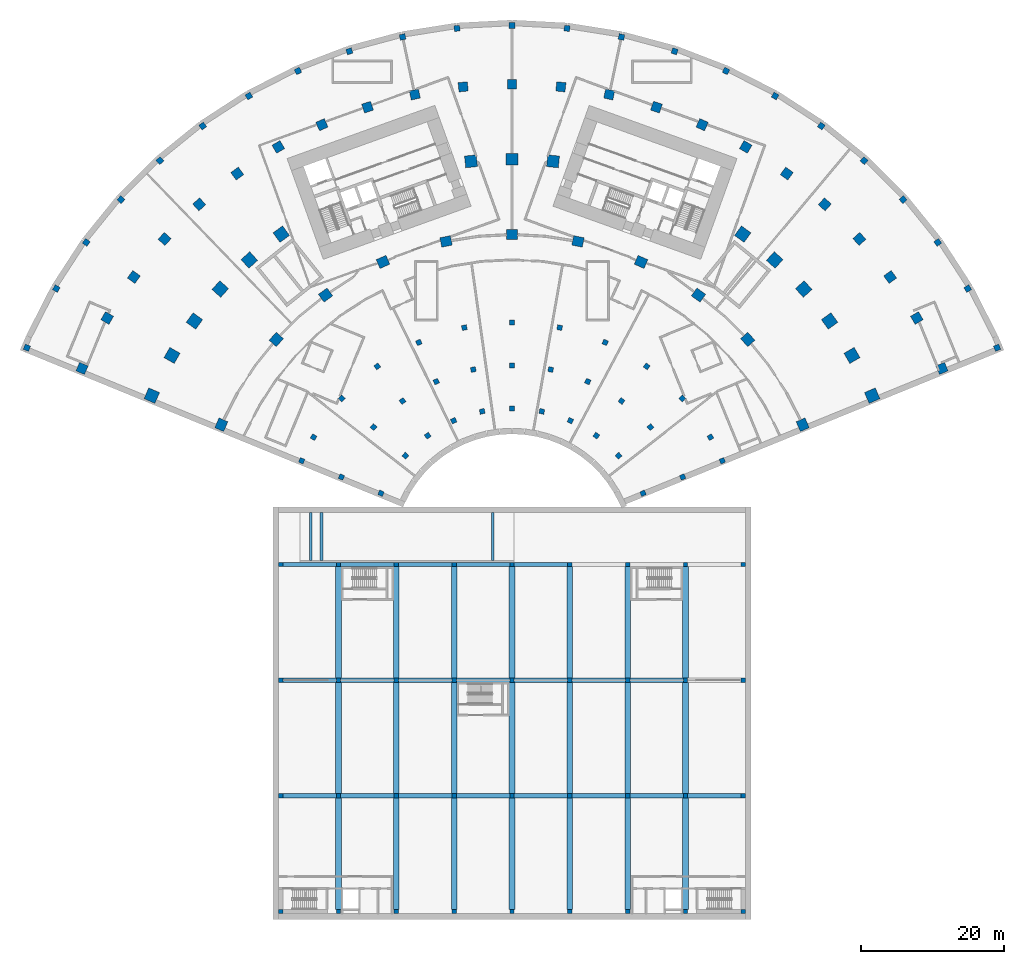
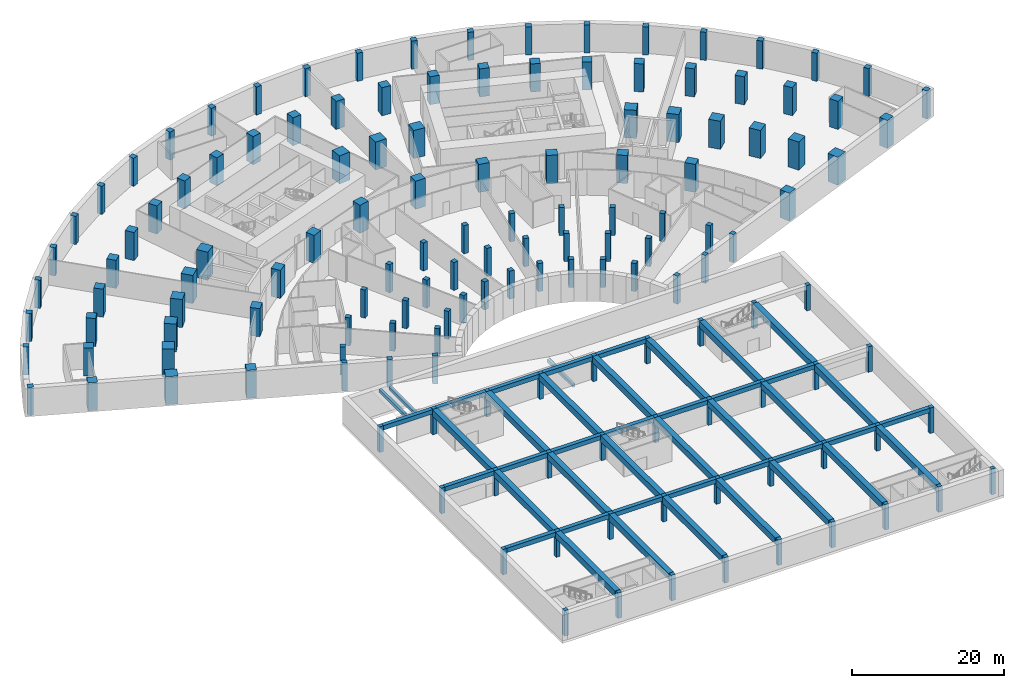
# One storey, part 1 of 21: 143 columns, 44 beams.
"""IFC4 building model written with IfcOpenShell, lengths in metres."""

from ifc_helpers import new_model, si_unit, direction, frame, origin, origin_2d, place, context, subcontext, project, spatial, rectangle, extrude, material, material_profile, profile_set, type_object, element, save


model = new_model("IFC4")

# Units and contexts
model_context = context("Model", 3, precision=1e-05, world=origin(), true_north=direction((0.0, 1.0)))
body_context = subcontext(model_context, "Body", "Model", "MODEL_VIEW")
ifc_project = project(units=[si_unit("LENGTHUNIT", "METRE"), si_unit("AREAUNIT", "SQUARE_METRE"), si_unit("VOLUMEUNIT", "CUBIC_METRE"), si_unit("PLANEANGLEUNIT", "RADIAN"), si_unit("MASSUNIT", "GRAM", prefix="KILO")], contexts=[model_context])

# Site, building, storey
site_placement = place(None, origin())
site = spatial("IfcSite", under=ifc_project, at=site_placement, CompositionType="ELEMENT")
building_placement = place(site_placement, origin())
building = spatial("IfcBuilding", under=site, at=building_placement, Name="Stone Belt Terrace Tower", CompositionType="ELEMENT")
storey_placement = place(building_placement, frame((0.0, 0.0, -9.0)))
storey = spatial("IfcBuildingStorey", under=building, at=storey_placement, Name="B2", CompositionType="ELEMENT", Elevation=-9.0)

# Columns
ifc_material_1 = material(Name="Concrete B60", Category="concrete")
ifc_material_profile_1 = material_profile(ifc_material_1, rectangle(XDim=0.60009765625, YDim=0.60009765625, at=origin_2d()), Name="Car park column 600 x 600")
ifc_profile_set_1 = profile_set([ifc_material_profile_1], Name="Concrete B60")
column_type_1 = type_object("IfcColumnType", Name="Car park column 600 x 600", PredefinedType="COLUMN", material=ifc_profile_set_1)
for number, where, z_axis, x_axis, name in (
    (1, (-32.39990234375, -50.39990234375, 0.0), (0.0, 0.0, 1.0), (1.0, 0.0, 0.0), "Car park column 1A"),
    (2, (-32.39990234375, -34.199951171875, 0.0), (0.0, 0.0, 1.0), (1.0, 0.0, 0.0), "Car park column 1C"),
    (3, (-32.39990234375, -18.0, 0.0), (0.0, 0.0, 1.0), (1.0, 0.0, 0.0), "Car park column 1E"),
    (4, (-32.39990234375, -1.800048828125, 0.0), (0.0, 0.0, 1.0), (1.0, 0.0, 0.0), "Car park column 1G"),
    (5, (-24.300048828125, -50.39990234375, 0.0), (0.0, 0.0, 1.0), (1.0, 0.0, 0.0), "Car park column 2A"),
    (6, (-24.300048828125, -34.199951171875, 0.0), (0.0, 0.0, 1.0), (1.0, 0.0, 0.0), "Car park column 2C"),
    (7, (-24.300048828125, -18.0, 0.0), (0.0, 0.0, 1.0), (1.0, 0.0, 0.0), "Car park column 2E"),
    (8, (-24.300048828125, -1.800048828125, 0.0), (0.0, 0.0, 1.0), (1.0, 0.0, 0.0), "Car park column 2G"),
    (9, (-16.199951171875, -50.39990234375, 0.0), (0.0, 0.0, 1.0), (1.0, 0.0, 0.0), "Car park column 3A"),
    (10, (-16.199951171875, -34.199951171875, 0.0), (0.0, 0.0, 1.0), (1.0, 0.0, 0.0), "Car park column 3C"),
    (11, (-16.199951171875, -18.0, 0.0), (0.0, 0.0, 1.0), (1.0, 0.0, 0.0), "Car park column 3E"),
    (12, (-16.199951171875, -1.800048828125, 0.0), (0.0, 0.0, 1.0), (1.0, 0.0, 0.0), "Car park column 3G"),
    (13, (-8.10009765625, -50.39990234375, 0.0), (0.0, 0.0, 1.0), (1.0, 0.0, 0.0), "Car park column 4A"),
    (14, (-8.10009765625, -34.199951171875, 0.0), (0.0, 0.0, 1.0), (1.0, 0.0, 0.0), "Car park column 4C"),
    (15, (-8.10009765625, -18.0, 0.0), (0.0, 0.0, 1.0), (1.0, 0.0, 0.0), "Car park column 4E"),
    (16, (-8.10009765625, -1.800048828125, 0.0), (0.0, 0.0, 1.0), (1.0, 0.0, 0.0), "Car park column 4G"),
    (17, (0.0, -50.39990234375, 0.0), (0.0, 0.0, 1.0), (1.0, 0.0, 0.0), "Car park column 5A"),
    (18, (0.0, -34.199951171875, 0.0), (0.0, 0.0, 1.0), (1.0, 0.0, 0.0), "Car park column 5C"),
    (19, (0.0, -18.0, 0.0), (0.0, 0.0, 1.0), (1.0, 0.0, 0.0), "Car park column 5E"),
    (20, (0.0, -1.800048828125, 0.0), (0.0, 0.0, 1.0), (1.0, 0.0, 0.0), "Car park column 5G"),
    (21, (8.10009765625, -50.39990234375, 0.0), (0.0, 0.0, 1.0), (1.0, 0.0, 0.0), "Car park column 6A"),
    (22, (8.10009765625, -34.199951171875, 0.0), (0.0, 0.0, 1.0), (1.0, 0.0, 0.0), "Car park column 6C"),
    (23, (8.10009765625, -18.0, 0.0), (0.0, 0.0, 1.0), (1.0, 0.0, 0.0), "Car park column 6E"),
    (24, (8.10009765625, -1.800048828125, 0.0), (0.0, 0.0, 1.0), (1.0, 0.0, 0.0), "Car park column 6G"),
    (25, (16.199951171875, -50.39990234375, 0.0), (0.0, 0.0, 1.0), (1.0, 0.0, 0.0), "Car park column 7A"),
    (26, (16.199951171875, -34.199951171875, 0.0), (0.0, 0.0, 1.0), (1.0, 0.0, 0.0), "Car park column 7C"),
    (27, (16.199951171875, -18.0, 0.0), (0.0, 0.0, 1.0), (1.0, 0.0, 0.0), "Car park column 7E"),
    (28, (16.199951171875, -1.800048828125, 0.0), (0.0, 0.0, 1.0), (1.0, 0.0, 0.0), "Car park column 7G"),
    (29, (24.300048828125, -50.39990234375, 0.0), (0.0, 0.0, 1.0), (1.0, 0.0, 0.0), "Car park column 8A"),
    (30, (24.300048828125, -34.199951171875, 0.0), (0.0, 0.0, 1.0), (1.0, 0.0, 0.0), "Car park column 8C"),
    (31, (24.300048828125, -18.0, 0.0), (0.0, 0.0, 1.0), (1.0, 0.0, 0.0), "Car park column 8E"),
    (32, (24.300048828125, -1.800048828125, 0.0), (0.0, 0.0, 1.0), (1.0, 0.0, 0.0), "Car park column 8G"),
    (33, (32.39990234375, -50.39990234375, 0.0), (0.0, 0.0, 1.0), (1.0, 0.0, 0.0), "Car park column 9A"),
    (34, (32.39990234375, -34.199951171875, 0.0), (0.0, 0.0, 1.0), (1.0, 0.0, 0.0), "Car park column 9C"),
    (35, (32.39990234375, -18.0, 0.0), (0.0, 0.0, 1.0), (1.0, 0.0, 0.0), "Car park column 9E"),
    (36, (32.39990234375, -1.800048828125, 0.0), (0.0, 0.0, 1.0), (1.0, 0.0, 0.0), "Car park column 9G"),
):
    element("IfcColumn", number, at=place(storey_placement, frame(where, z_axis=z_axis, x_axis=x_axis)), inside=storey, type_object=column_type_1, Name=name, PredefinedType="COLUMN", context=body_context, shape_type="SweptSolid", body=[
        extrude(rectangle(XDim=0.60009765625, YDim=0.60009765625, at=origin_2d()), origin(), (0.0, 0.0, 1.0), 4.10009765625),
    ])
ifc_material_2 = material(Name="Concrete B80", Category="concrete")
ifc_material_profile_2 = material_profile(ifc_material_2, rectangle(XDim=1.300048828125, YDim=1.300048828125, at=origin_2d()), Name="RC 1300x1300")
ifc_profile_set_2 = profile_set([ifc_material_profile_2], Name="Concrete B80")
column_type_2 = type_object("IfcColumnType", Name="Column RC 1300x1300 B80", PredefinedType="COLUMN", material=ifc_profile_set_2)
for number, where, z_axis, x_axis, name in (
    (37, (-60.24169921875, 25.68505859375, 0.0), (0.0, 0.0, 1.0), (0.392203865004, 0.919878322538, 0.0), "Column B2 RA"),
    (38, (-56.715087890625, 32.744384765625, 0.0), (0.0, 0.0, 1.0), (0.5, 0.866025403784, 0.0), "Column B2 R12"),
    (39, (-52.981689453125, 38.493408203125, 0.0), (0.0, 0.0, 1.0), (0.587785252292, 0.809016994375, 0.0), "Column B2 R13"),
    (40, (-48.667724609375, 43.820556640625, 0.0), (0.0, 0.0, 1.0), (0.669130606359, 0.743144825477, 0.0), "Column B2 R14"),
    (41, (-43.820556640625, 48.667724609375, 0.0), (0.0, 0.0, 1.0), (0.743144825477, 0.669130606359, 0.0), "Column B2 R15"),
    (42, (-38.493408203125, 52.981689453125, 0.0), (0.0, 0.0, 1.0), (0.809016994375, 0.587785252292, 0.0), "Column B2 R16"),
    (43, (-32.744384765625, 56.715087890625, 0.0), (0.0, 0.0, 1.0), (0.866025403784, 0.5, 0.0), "Column B2 R17"),
    (44, (-26.63671875, 59.8271484375, 0.0), (0.0, 0.0, 1.0), (0.913545457643, 0.406736643076, 0.0), "Column B2 R18"),
    (45, (-20.2373046875, 62.28369140625, 0.0), (0.0, 0.0, 1.0), (0.951056516295, 0.309016994375, 0.0), "Column B2 R19"),
    (46, (-13.615966796875, 64.057861328125, 0.0), (0.0, 0.0, 1.0), (0.978147600734, 0.207911690818, 0.0), "Column B2 R20"),
    (47, (-6.845458984375, 65.130126953125, 0.0), (0.0, 0.0, 1.0), (0.994521895368, 0.104528463268, 0.0), "Column B2 R21"),
    (48, (0.0, 65.489013671875, 0.0), (0.0, 0.0, 1.0), (1.0, 0.0, 0.0), "Column B2 R22"),
    (49, (6.845458984375, 65.130126953125, 0.0), (0.0, 0.0, 1.0), (0.994521895368, -0.104528463268, 0.0), "Column B2 R23"),
    (50, (13.615966796875, 64.057861328125, 0.0), (0.0, 0.0, 1.0), (0.978147600734, -0.207911690818, 0.0), "Column B2 R24"),
    (51, (20.2373046875, 62.28369140625, 0.0), (0.0, 0.0, 1.0), (0.951056516295, -0.309016994375, 0.0), "Column B2 R25"),
    (52, (26.63671875, 59.8271484375, 0.0), (0.0, 0.0, 1.0), (0.913545457643, -0.406736643076, 0.0), "Column B2 R26"),
    (53, (32.744384765625, 56.715087890625, 0.0), (0.0, 0.0, 1.0), (0.866025403784, -0.5, 0.0), "Column B2 R27"),
    (54, (38.493408203125, 52.981689453125, 0.0), (0.0, 0.0, 1.0), (0.809016994375, -0.587785252292, 0.0), "Column B2 R28"),
    (55, (43.820556640625, 48.667724609375, 0.0), (0.0, 0.0, 1.0), (0.743144825477, -0.669130606359, 0.0), "Column B2 R29"),
    (56, (48.667724609375, 43.820556640625, 0.0), (0.0, 0.0, 1.0), (0.669130606359, -0.743144825477, 0.0), "Column B2 R30"),
    (57, (52.981689453125, 38.493408203125, 0.0), (0.0, 0.0, 1.0), (0.587785252292, -0.809016994375, 0.0), "Column B2 R31"),
    (58, (56.715087890625, 32.744384765625, 0.0), (0.0, 0.0, 1.0), (0.5, -0.866025403784, 0.0), "Column B2 R32"),
    (59, (60.24169921875, 25.68505859375, 0.0), (0.0, 0.0, 1.0), (0.392203865004, -0.919878322538, 0.0), "Column B2 RB"),
):
    element("IfcColumn", number, at=place(storey_placement, frame(where, z_axis=z_axis, x_axis=x_axis)), inside=storey, type_object=column_type_2, Name=name, PredefinedType="COLUMN", context=body_context, shape_type="SweptSolid", body=[
        extrude(rectangle(XDim=1.300048828125, YDim=1.300048828125, at=origin_2d()), origin(), (0.0, 0.0, 1.0), 4.5),
    ])
ifc_material_profile_3 = material_profile(ifc_material_2, rectangle(XDim=1.5, YDim=1.35009765625, at=origin_2d()), Name="RC 1500x1350")
ifc_profile_set_3 = profile_set([ifc_material_profile_3], Name="Concrete B80")
column_type_3 = type_object("IfcColumnType", Name="Column RC 1500x1350 B80", PredefinedType="COLUMN", material=ifc_profile_set_3)
for number, where, z_axis, x_axis, name in (
    (60, (-40.727294921875, 17.794677734375, 0.0), (0.0, 0.0, 1.0), (0.40037622141, 0.916350850564, 0.0), "Column B2 PA"),
    (61, (-33.029052734375, 29.739501953125, 0.0), (0.0, 0.0, 1.0), (0.669130606359, 0.743144825477, 0.0), "Column B2 P14"),
    (62, (-26.1240234375, 35.956787109375, 0.0), (0.0, 0.0, 1.0), (0.809016994375, 0.587785252292, 0.0), "Column B2 P16"),
    (63, (-18.077392578125, 40.6025390625, 0.0), (0.0, 0.0, 1.0), (0.913545457643, 0.406736643076, 0.0), "Column B2 P18"),
    (64, (-9.240478515625, 43.473876953125, 0.0), (0.0, 0.0, 1.0), (0.978147600734, 0.207911690818, 0.0), "Column B2 P20"),
    (65, (0.0, 44.445068359375, 0.0), (0.0, 0.0, 1.0), (1.0, 0.0, 0.0), "Column B2 P22"),
    (66, (9.240478515625, 43.473876953125, 0.0), (0.0, 0.0, 1.0), (0.978147600734, -0.207911690818, 0.0), "Column B2 P24"),
    (67, (18.077392578125, 40.6025390625, 0.0), (0.0, 0.0, 1.0), (0.913545457643, -0.406736643076, 0.0), "Column B2 P26"),
    (68, (26.1240234375, 35.956787109375, 0.0), (0.0, 0.0, 1.0), (0.809016994375, -0.587785252292, 0.0), "Column B2 P28"),
    (69, (33.029052734375, 29.739501953125, 0.0), (0.0, 0.0, 1.0), (0.669130606359, -0.743144825477, 0.0), "Column B2 P30"),
    (70, (40.727294921875, 17.794677734375, 0.0), (0.0, 0.0, 1.0), (0.40037622141, -0.916350850564, 0.0), "Column B2 PB"),
):
    element("IfcColumn", number, at=place(storey_placement, frame(where, z_axis=z_axis, x_axis=x_axis)), inside=storey, type_object=column_type_3, Name=name, PredefinedType="COLUMN", context=body_context, shape_type="SweptSolid", body=[
        extrude(rectangle(XDim=1.5, YDim=1.35009765625, at=origin_2d()), origin(), (0.0, 0.0, 1.0), 4.5),
    ])
ifc_material_profile_4 = material_profile(ifc_material_2, rectangle(XDim=1.64990234375, YDim=1.64990234375, at=origin_2d()), Name="RC 1650x1650")
ifc_profile_set_4 = profile_set([ifc_material_profile_4], Name="Concrete B80")
column_type_4 = type_object("IfcColumnType", Name="Column RC 1650x1650 B80", PredefinedType="COLUMN", material=ifc_profile_set_4)
for number, where, z_axis, x_axis, name in (
    (71, (-50.466064453125, 21.867431640625, 0.0), (0.0, 0.0, 1.0), (0.397588335471, 0.917563902678, 0.0), "Column B2 QA"),
    (72, (-47.63134765625, 27.5, 0.0), (0.0, 0.0, 1.0), (0.5, 0.866025403784, 0.0), "Column B2 Q12"),
    (73, (-44.495849609375, 32.328125, 0.0), (0.0, 0.0, 1.0), (0.587785252292, 0.809016994375, 0.0), "Column B2 Q13"),
    (74, (-40.873046875, 36.80224609375, 0.0), (0.0, 0.0, 1.0), (0.669130606359, 0.743144825477, 0.0), "Column B2 Q14"),
    (75, (-36.80224609375, 40.873046875, 0.0), (0.0, 0.0, 1.0), (0.743144825477, 0.669130606359, 0.0), "Column B2 Q15"),
    (76, (-32.328125, 44.495849609375, 0.0), (0.0, 0.0, 1.0), (0.809016994375, 0.587785252292, 0.0), "Column B2 Q16"),
    (77, (-5.7490234375, 54.69873046875, 0.0), (0.0, 0.0, 1.0), (0.994521895368, 0.104528463268, 0.0), "Column B2 Q21"),
    (78, (0.0, 55.0, 0.0), (0.0, 0.0, 1.0), (1.0, 0.0, 0.0), "Column B2 Q22"),
    (79, (5.7490234375, 54.69873046875, 0.0), (0.0, 0.0, 1.0), (0.994521895368, -0.104528463268, 0.0), "Column B2 Q23"),
    (80, (32.328125, 44.495849609375, 0.0), (0.0, 0.0, 1.0), (0.809016994375, -0.587785252292, 0.0), "Column B2 Q28"),
    (81, (36.80224609375, 40.873046875, 0.0), (0.0, 0.0, 1.0), (0.743144825477, -0.669130606359, 0.0), "Column B2 Q29"),
    (82, (40.873046875, 36.80224609375, 0.0), (0.0, 0.0, 1.0), (0.669130606359, -0.743144825477, 0.0), "Column B2 Q30"),
    (83, (44.495849609375, 32.328125, 0.0), (0.0, 0.0, 1.0), (0.587785252292, -0.809016994375, 0.0), "Column B2 Q31"),
    (84, (47.63134765625, 27.5, 0.0), (0.0, 0.0, 1.0), (0.5, -0.866025403784, 0.0), "Column B2 Q32"),
    (85, (50.466064453125, 21.867431640625, 0.0), (0.0, 0.0, 1.0), (0.397588335471, -0.917563902678, 0.0), "Column B2 QB"),
):
    element("IfcColumn", number, at=place(storey_placement, frame(where, z_axis=z_axis, x_axis=x_axis)), inside=storey, type_object=column_type_4, Name=name, PredefinedType="COLUMN", context=body_context, shape_type="SweptSolid", body=[
        extrude(rectangle(XDim=1.64990234375, YDim=1.64990234375, at=origin_2d()), origin(), (0.0, 0.0, 1.0), 4.5),
    ])
ifc_material_profile_5 = material_profile(ifc_material_1, rectangle(XDim=0.699951171875, YDim=0.699951171875, at=origin_2d()), Name="RC 700x700")
ifc_profile_set_5 = profile_set([ifc_material_profile_5], Name="Concrete B60")
column_type_5 = type_object("IfcColumnType", Name="Column RC 700x700 B60", PredefinedType="COLUMN", material=ifc_profile_set_5)
for number, where, z_axis, x_axis, name in (
    (86, (-18.3544921875, 8.19287109375, 0.0), (0.0, 0.0, 1.0), (0.40759905238, 0.913161000316, 0.0), "Column B2 MA"),
    (87, (-14.937255859375, 13.449462890625, 0.0), (0.0, 0.0, 1.0), (0.669130606359, 0.743144825477, 0.0), "Column B2 M14"),
    (88, (-11.814453125, 16.26123046875, 0.0), (0.0, 0.0, 1.0), (0.809016994375, 0.587785252292, 0.0), "Column B2 M16"),
    (89, (-8.17529296875, 18.3623046875, 0.0), (0.0, 0.0, 1.0), (0.913545457643, 0.406736643076, 0.0), "Column B2 M18"),
    (90, (-4.178955078125, 19.660888671875, 0.0), (0.0, 0.0, 1.0), (0.978147600734, 0.207911690818, 0.0), "Column B2 M20"),
    (91, (0.0, 20.10009765625, 0.0), (0.0, 0.0, 1.0), (1.0, 0.0, 0.0), "Column B2 M22"),
    (92, (4.178955078125, 19.660888671875, 0.0), (0.0, 0.0, 1.0), (0.978147600734, -0.207911690818, 0.0), "Column B2 M24"),
    (93, (8.17529296875, 18.3623046875, 0.0), (0.0, 0.0, 1.0), (0.913545457643, -0.406736643076, 0.0), "Column B2 M26"),
    (94, (11.814453125, 16.26123046875, 0.0), (0.0, 0.0, 1.0), (0.809016994375, -0.587785252292, 0.0), "Column B2 M28"),
    (95, (14.937255859375, 13.449462890625, 0.0), (0.0, 0.0, 1.0), (0.669130606359, -0.743144825477, 0.0), "Column B2 M30"),
    (96, (18.3544921875, 8.19287109375, 0.0), (0.0, 0.0, 1.0), (0.40759905238, -0.913161000316, 0.0), "Column B2 MB"),
    (97, (-23.908203125, 10.468994140625, 0.0), (0.0, 0.0, 1.0), (0.401114983453, 0.91602771249, 0.0), "Column B2 NA"),
    (98, (-19.39599609375, 17.46435546875, 0.0), (0.0, 0.0, 1.0), (0.669130606359, 0.743144825477, 0.0), "Column B2 N14"),
    (99, (-15.34130859375, 21.115234375, 0.0), (0.0, 0.0, 1.0), (0.809016994375, 0.587785252292, 0.0), "Column B2 N16"),
    (100, (-10.61572265625, 23.843505859375, 0.0), (0.0, 0.0, 1.0), (0.913545457643, 0.406736643076, 0.0), "Column B2 N18"),
    (101, (-5.426513671875, 25.52978515625, 0.0), (0.0, 0.0, 1.0), (0.978147600734, 0.207911690818, 0.0), "Column B2 N20"),
    (102, (0.0, 26.10009765625, 0.0), (0.0, 0.0, 1.0), (1.0, 0.0, 0.0), "Column B2 N22"),
    (103, (5.426513671875, 25.52978515625, 0.0), (0.0, 0.0, 1.0), (0.978147600734, -0.207911690818, 0.0), "Column B2 N24"),
    (104, (10.61572265625, 23.843505859375, 0.0), (0.0, 0.0, 1.0), (0.913545457643, -0.406736643076, 0.0), "Column B2 N26"),
    (105, (15.34130859375, 21.115234375, 0.0), (0.0, 0.0, 1.0), (0.809016994375, -0.587785252292, 0.0), "Column B2 N28"),
    (106, (19.39599609375, 17.46435546875, 0.0), (0.0, 0.0, 1.0), (0.669130606359, -0.743144825477, 0.0), "Column B2 N30"),
    (107, (23.908203125, 10.468994140625, 0.0), (0.0, 0.0, 1.0), (0.401114983453, -0.91602771249, 0.0), "Column B2 NB"),
    (108, (-29.46142578125, 12.7451171875, 0.0), (0.0, 0.0, 1.0), (0.39704377212, 0.917799674777, 0.0), "Column B2 OA"),
    (109, (-27.79931640625, 16.050048828125, 0.0), (0.0, 0.0, 1.0), (0.5, 0.866025403784, 0.0), "Column B2 O12"),
    (110, (-23.85498046875, 21.47900390625, 0.0), (0.0, 0.0, 1.0), (0.669130606359, 0.743144825477, 0.0), "Column B2 O14"),
    (111, (-18.867919921875, 25.969482421875, 0.0), (0.0, 0.0, 1.0), (0.809016994375, 0.587785252292, 0.0), "Column B2 O16"),
    (112, (-13.05615234375, 29.32470703125, 0.0), (0.0, 0.0, 1.0), (0.913545457643, 0.406736643076, 0.0), "Column B2 O18"),
    (113, (-6.674072265625, 31.3984375, 0.0), (0.0, 0.0, 1.0), (0.978147600734, 0.207911690818, 0.0), "Column B2 O20"),
    (114, (0.0, 32.10009765625, 0.0), (0.0, 0.0, 1.0), (1.0, 0.0, 0.0), "Column B2 O22"),
    (115, (6.674072265625, 31.3984375, 0.0), (0.0, 0.0, 1.0), (0.978147600734, -0.207911690818, 0.0), "Column B2 O24"),
    (116, (13.05615234375, 29.32470703125, 0.0), (0.0, 0.0, 1.0), (0.913545457643, -0.406736643076, 0.0), "Column B2 O26"),
    (117, (18.867919921875, 25.969482421875, 0.0), (0.0, 0.0, 1.0), (0.809016994375, -0.587785252292, 0.0), "Column B2 O28"),
    (118, (23.85498046875, 21.47900390625, 0.0), (0.0, 0.0, 1.0), (0.669130606359, -0.743144825477, 0.0), "Column B2 O30"),
    (119, (27.79931640625, 16.050048828125, 0.0), (0.0, 0.0, 1.0), (0.5, -0.866025403784, 0.0), "Column B2 O32"),
    (120, (29.46142578125, 12.7451171875, 0.0), (0.0, 0.0, 1.0), (0.39704377212, -0.917799674777, 0.0), "Column B2 OB"),
):
    element("IfcColumn", number, at=place(storey_placement, frame(where, z_axis=z_axis, x_axis=x_axis)), inside=storey, type_object=column_type_5, Name=name, PredefinedType="COLUMN", context=body_context, shape_type="SweptSolid", body=[
        extrude(rectangle(XDim=0.699951171875, YDim=0.699951171875, at=origin_2d()), origin(), (0.0, 0.0, 1.0), 4.5),
    ])
ifc_material_profile_6 = material_profile(ifc_material_1, rectangle(XDim=0.800048828125, YDim=0.800048828125, at=origin_2d()), Name="RC 800x800")
ifc_profile_set_6 = profile_set([ifc_material_profile_6], Name="Concrete B60")
column_type_6 = type_object("IfcColumnType", Name="Column RC 800x800 B60", PredefinedType="COLUMN", material=ifc_profile_set_6)
for number, where, z_axis, x_axis, name in (
    (121, (-67.96337890625, 28.57958984375, 0.0), (0.0, 0.0, 1.0), (0.387636254736, 0.921812418019, 0.0), "Column B2 SA"),
    (122, (-63.85009765625, 36.864013671875, 0.0), (0.0, 0.0, 1.0), (0.5, 0.866025403784, 0.0), "Column B2 S12"),
    (123, (-59.647216796875, 43.336181640625, 0.0), (0.0, 0.0, 1.0), (0.587785252292, 0.809016994375, 0.0), "Column B2 S13"),
    (124, (-54.79052734375, 49.33349609375, 0.0), (0.0, 0.0, 1.0), (0.669130606359, 0.743144825477, 0.0), "Column B2 S14"),
    (125, (-49.33349609375, 54.79052734375, 0.0), (0.0, 0.0, 1.0), (0.743144825477, 0.669130606359, 0.0), "Column B2 S15"),
    (126, (-43.336181640625, 59.647216796875, 0.0), (0.0, 0.0, 1.0), (0.809016994375, 0.587785252292, 0.0), "Column B2 S16"),
    (127, (-36.864013671875, 63.85009765625, 0.0), (0.0, 0.0, 1.0), (0.866025403784, 0.5, 0.0), "Column B2 S17"),
    (128, (-29.98779296875, 67.353759765625, 0.0), (0.0, 0.0, 1.0), (0.913545457643, 0.406736643076, 0.0), "Column B2 S18"),
    (129, (-22.783203125, 70.119384765625, 0.0), (0.0, 0.0, 1.0), (0.951056516295, 0.309016994375, 0.0), "Column B2 S19"),
    (130, (-15.328857421875, 72.11669921875, 0.0), (0.0, 0.0, 1.0), (0.978147600734, 0.207911690818, 0.0), "Column B2 S20"),
    (131, (-7.706787109375, 73.323974609375, 0.0), (0.0, 0.0, 1.0), (0.994521895368, 0.104528463268, 0.0), "Column B2 S21"),
    (132, (0.0, 73.727783203125, 0.0), (0.0, 0.0, 1.0), (1.0, 0.0, 0.0), "Column B2 S22"),
    (133, (7.706787109375, 73.323974609375, 0.0), (0.0, 0.0, 1.0), (0.994521895368, -0.104528463268, 0.0), "Column B2 S23"),
    (134, (15.328857421875, 72.11669921875, 0.0), (0.0, 0.0, 1.0), (0.978147600734, -0.207911690818, 0.0), "Column B2 S24"),
    (135, (22.783203125, 70.119384765625, 0.0), (0.0, 0.0, 1.0), (0.951056516295, -0.309016994375, 0.0), "Column B2 S25"),
    (136, (29.98779296875, 67.353759765625, 0.0), (0.0, 0.0, 1.0), (0.913545457643, -0.406736643076, 0.0), "Column B2 S26"),
    (137, (36.864013671875, 63.85009765625, 0.0), (0.0, 0.0, 1.0), (0.866025403784, -0.5, 0.0), "Column B2 S27"),
    (138, (43.336181640625, 59.647216796875, 0.0), (0.0, 0.0, 1.0), (0.809016994375, -0.587785252292, 0.0), "Column B2 S28"),
    (139, (49.33349609375, 54.79052734375, 0.0), (0.0, 0.0, 1.0), (0.743144825477, -0.669130606359, 0.0), "Column B2 S29"),
    (140, (54.79052734375, 49.33349609375, 0.0), (0.0, 0.0, 1.0), (0.669130606359, -0.743144825477, 0.0), "Column B2 S30"),
    (141, (59.647216796875, 43.336181640625, 0.0), (0.0, 0.0, 1.0), (0.587785252292, -0.809016994375, 0.0), "Column B2 S31"),
    (142, (63.85009765625, 36.864013671875, 0.0), (0.0, 0.0, 1.0), (0.5, -0.866025403784, 0.0), "Column B2 S32"),
    (143, (67.96337890625, 28.57958984375, 0.0), (0.0, 0.0, 1.0), (0.387636254736, -0.921812418019, 0.0), "Column B2 SB"),
):
    element("IfcColumn", number, at=place(storey_placement, frame(where, z_axis=z_axis, x_axis=x_axis)), inside=storey, type_object=column_type_6, Name=name, PredefinedType="COLUMN", context=body_context, shape_type="SweptSolid", body=[
        extrude(rectangle(XDim=0.800048828125, YDim=0.800048828125, at=origin_2d()), origin(), (0.0, 0.0, 1.0), 4.5),
    ])

# Beams
ifc_material_3 = material(Name="Concrete B40", Category="concrete")
ifc_material_profile_7 = material_profile(ifc_material_3, rectangle(XDim=0.800048828125, YDim=1.0, at=origin_2d()), Name="Car park girder 800 x 1000")
ifc_profile_set_7 = profile_set([ifc_material_profile_7], Name="Concrete B40")
beam_type_1 = type_object("IfcBeamType", Name="Car park girder 800 x 1000", PredefinedType="BEAM", material=ifc_profile_set_7)
beam_1_placement = place(storey_placement, frame((-24.300048828125, -50.10009765625, 3.60009765625), z_axis=(0.0, 1.0, 0.0), x_axis=(-1.0, 0.0, 0.0)))
element("IfcBeam", 144, at=beam_1_placement, inside=storey, type_object=beam_type_1, Name="Car park girder 2A-C", PredefinedType="BEAM", context=body_context, shape_type="SweptSolid", body=[
    extrude(rectangle(XDim=0.800048828125, YDim=1.0, at=origin_2d()), origin(), (0.0, 0.0, 1.0), 15.60009765625),
])
for number, where, z_axis, x_axis, name in (
    (145, (-24.300048828125, -33.89990234375, 3.60009765625), (0.0, 1.0, 0.0), (-1.0, 0.0, 0.0), "Car park girder 2C-E"),
    (146, (-24.300048828125, -17.699951171875, 3.60009765625), (0.0, 1.0, 0.0), (-1.0, 0.0, 0.0), "Car park girder 2E-G"),
):
    element("IfcBeam", number, at=place(storey_placement, frame(where, z_axis=z_axis, x_axis=x_axis)), inside=storey, type_object=beam_type_1, Name=name, PredefinedType="BEAM", context=body_context, shape_type="SweptSolid", body=[
        extrude(rectangle(XDim=0.800048828125, YDim=1.0, at=origin_2d()), origin(), (0.0, 0.0, 1.0), 15.599853515625),
    ])
beam_2_placement = place(storey_placement, frame((-16.199951171875, -50.10009765625, 3.60009765625), z_axis=(0.0, 1.0, 0.0), x_axis=(-1.0, 0.0, 0.0)))
element("IfcBeam", 147, at=beam_2_placement, inside=storey, type_object=beam_type_1, Name="Car park girder 3A-C", PredefinedType="BEAM", context=body_context, shape_type="SweptSolid", body=[
    extrude(rectangle(XDim=0.800048828125, YDim=1.0, at=origin_2d()), origin(), (0.0, 0.0, 1.0), 15.60009765625),
])
for number, where, z_axis, x_axis, name in (
    (148, (-16.199951171875, -33.89990234375, 3.60009765625), (0.0, 1.0, 0.0), (-1.0, 0.0, 0.0), "Car park girder 3C-E"),
    (149, (-16.199951171875, -17.699951171875, 3.60009765625), (0.0, 1.0, 0.0), (-1.0, 0.0, 0.0), "Car park girder 3E-G"),
):
    element("IfcBeam", number, at=place(storey_placement, frame(where, z_axis=z_axis, x_axis=x_axis)), inside=storey, type_object=beam_type_1, Name=name, PredefinedType="BEAM", context=body_context, shape_type="SweptSolid", body=[
        extrude(rectangle(XDim=0.800048828125, YDim=1.0, at=origin_2d()), origin(), (0.0, 0.0, 1.0), 15.599853515625),
    ])
beam_3_placement = place(storey_placement, frame((-8.10009765625, -50.10009765625, 3.60009765625), z_axis=(0.0, 1.0, 0.0), x_axis=(-1.0, 0.0, 0.0)))
element("IfcBeam", 150, at=beam_3_placement, inside=storey, type_object=beam_type_1, Name="Car park girder 4A-C", PredefinedType="BEAM", context=body_context, shape_type="SweptSolid", body=[
    extrude(rectangle(XDim=0.800048828125, YDim=1.0, at=origin_2d()), origin(), (0.0, 0.0, 1.0), 15.60009765625),
])
for number, where, z_axis, x_axis, name in (
    (151, (-8.10009765625, -33.89990234375, 3.60009765625), (0.0, 1.0, 0.0), (-1.0, 0.0, 0.0), "Car park girder 4C-E"),
    (152, (-8.10009765625, -17.699951171875, 3.60009765625), (0.0, 1.0, 0.0), (-1.0, 0.0, 0.0), "Car park girder 4E-G"),
):
    element("IfcBeam", number, at=place(storey_placement, frame(where, z_axis=z_axis, x_axis=x_axis)), inside=storey, type_object=beam_type_1, Name=name, PredefinedType="BEAM", context=body_context, shape_type="SweptSolid", body=[
        extrude(rectangle(XDim=0.800048828125, YDim=1.0, at=origin_2d()), origin(), (0.0, 0.0, 1.0), 15.599853515625),
    ])
beam_4_placement = place(storey_placement, frame((0.0, -50.10009765625, 3.60009765625), z_axis=(0.0, 1.0, 0.0), x_axis=(-1.0, 0.0, 0.0)))
element("IfcBeam", 153, at=beam_4_placement, inside=storey, type_object=beam_type_1, Name="Car park girder 5A-C", PredefinedType="BEAM", context=body_context, shape_type="SweptSolid", body=[
    extrude(rectangle(XDim=0.800048828125, YDim=1.0, at=origin_2d()), origin(), (0.0, 0.0, 1.0), 15.60009765625),
])
for number, where, z_axis, x_axis, name in (
    (154, (0.0, -33.89990234375, 3.60009765625), (0.0, 1.0, 0.0), (-1.0, 0.0, 0.0), "Car park girder 5C-E"),
    (155, (0.0, -17.699951171875, 3.60009765625), (0.0, 1.0, 0.0), (-1.0, 0.0, 0.0), "Car park girder 5E-G"),
):
    element("IfcBeam", number, at=place(storey_placement, frame(where, z_axis=z_axis, x_axis=x_axis)), inside=storey, type_object=beam_type_1, Name=name, PredefinedType="BEAM", context=body_context, shape_type="SweptSolid", body=[
        extrude(rectangle(XDim=0.800048828125, YDim=1.0, at=origin_2d()), origin(), (0.0, 0.0, 1.0), 15.599853515625),
    ])
beam_5_placement = place(storey_placement, frame((8.10009765625, -50.10009765625, 3.60009765625), z_axis=(0.0, 1.0, 0.0), x_axis=(-1.0, 0.0, 0.0)))
element("IfcBeam", 156, at=beam_5_placement, inside=storey, type_object=beam_type_1, Name="Car park girder 6A-C", PredefinedType="BEAM", context=body_context, shape_type="SweptSolid", body=[
    extrude(rectangle(XDim=0.800048828125, YDim=1.0, at=origin_2d()), origin(), (0.0, 0.0, 1.0), 15.60009765625),
])
for number, where, z_axis, x_axis, name in (
    (157, (8.10009765625, -33.89990234375, 3.60009765625), (0.0, 1.0, 0.0), (-1.0, 0.0, 0.0), "Car park girder 6C-E"),
    (158, (8.10009765625, -17.699951171875, 3.60009765625), (0.0, 1.0, 0.0), (-1.0, 0.0, 0.0), "Car park girder 6E-G"),
):
    element("IfcBeam", number, at=place(storey_placement, frame(where, z_axis=z_axis, x_axis=x_axis)), inside=storey, type_object=beam_type_1, Name=name, PredefinedType="BEAM", context=body_context, shape_type="SweptSolid", body=[
        extrude(rectangle(XDim=0.800048828125, YDim=1.0, at=origin_2d()), origin(), (0.0, 0.0, 1.0), 15.599853515625),
    ])
beam_6_placement = place(storey_placement, frame((16.199951171875, -50.10009765625, 3.60009765625), z_axis=(0.0, 1.0, 0.0), x_axis=(-1.0, 0.0, 0.0)))
element("IfcBeam", 159, at=beam_6_placement, inside=storey, type_object=beam_type_1, Name="Car park girder 7A-C", PredefinedType="BEAM", context=body_context, shape_type="SweptSolid", body=[
    extrude(rectangle(XDim=0.800048828125, YDim=1.0, at=origin_2d()), origin(), (0.0, 0.0, 1.0), 15.60009765625),
])
for number, where, z_axis, x_axis, name in (
    (160, (16.199951171875, -33.89990234375, 3.60009765625), (0.0, 1.0, 0.0), (-1.0, 0.0, 0.0), "Car park girder 7C-E"),
    (161, (16.199951171875, -17.699951171875, 3.60009765625), (0.0, 1.0, 0.0), (-1.0, 0.0, 0.0), "Car park girder 7E-G"),
):
    element("IfcBeam", number, at=place(storey_placement, frame(where, z_axis=z_axis, x_axis=x_axis)), inside=storey, type_object=beam_type_1, Name=name, PredefinedType="BEAM", context=body_context, shape_type="SweptSolid", body=[
        extrude(rectangle(XDim=0.800048828125, YDim=1.0, at=origin_2d()), origin(), (0.0, 0.0, 1.0), 15.599853515625),
    ])
beam_7_placement = place(storey_placement, frame((24.300048828125, -50.10009765625, 3.60009765625), z_axis=(0.0, 1.0, 0.0), x_axis=(-1.0, 0.0, 0.0)))
element("IfcBeam", 162, at=beam_7_placement, inside=storey, type_object=beam_type_1, Name="Car park girder 8A-C", PredefinedType="BEAM", context=body_context, shape_type="SweptSolid", body=[
    extrude(rectangle(XDim=0.800048828125, YDim=1.0, at=origin_2d()), origin(), (0.0, 0.0, 1.0), 15.60009765625),
])
for number, where, z_axis, x_axis, name in (
    (163, (24.300048828125, -33.89990234375, 3.60009765625), (0.0, 1.0, 0.0), (-1.0, 0.0, 0.0), "Car park girder 8C-E"),
    (164, (24.300048828125, -17.699951171875, 3.60009765625), (0.0, 1.0, 0.0), (-1.0, 0.0, 0.0), "Car park girder 8E-G"),
):
    element("IfcBeam", number, at=place(storey_placement, frame(where, z_axis=z_axis, x_axis=x_axis)), inside=storey, type_object=beam_type_1, Name=name, PredefinedType="BEAM", context=body_context, shape_type="SweptSolid", body=[
        extrude(rectangle(XDim=0.800048828125, YDim=1.0, at=origin_2d()), origin(), (0.0, 0.0, 1.0), 15.599853515625),
    ])
ifc_material_profile_8 = material_profile(ifc_material_3, rectangle(XDim=0.39990234375, YDim=0.5, at=origin_2d()), Name="Car park ramp bearing beam 400 x 500")
ifc_profile_set_8 = profile_set([ifc_material_profile_8], Name="Concrete B40")
beam_type_2 = type_object("IfcBeamType", Name="Car park ramp bearing beam 400 x 500", PredefinedType="BEAM", material=ifc_profile_set_8)
for number, where, z_axis, x_axis, name in (
    (165, (-26.699951171875, -1.199951171875, 3.719970703125), (0.0, 1.0, 0.0), (-1.0, 0.0, 0.0), "Car park ramp R1 B1 to B2 bearing beam"),
    (166, (-2.699951171875, -1.199951171875, -0.280029296875), (0.0, 1.0, 0.0), (-1.0, 0.0, 0.0), "Car park ramp R1 B1 to B2 bearing beam"),
    (167, (-28.199951171875, -1.199951171875, 3.844970703125), (0.0, 1.0, 0.0), (-1.0, 0.0, 0.0), "Car park ramp R1 B1 to B2 transition beam"),
):
    element("IfcBeam", number, at=place(storey_placement, frame(where, z_axis=z_axis, x_axis=x_axis)), inside=storey, type_object=beam_type_2, Name=name, PredefinedType="BEAM", context=body_context, shape_type="SweptSolid", body=[
        extrude(rectangle(XDim=0.39990234375, YDim=0.5, at=origin_2d()), origin(), (0.0, 0.0, 1.0), 6.699951171875),
    ])
ifc_material_profile_9 = material_profile(ifc_material_3, rectangle(XDim=0.60009765625, YDim=0.699951171875, at=origin_2d()), Name="Car park tie beam 600 x 700")
ifc_profile_set_9 = profile_set([ifc_material_profile_9], Name="Concrete B40")
beam_type_3 = type_object("IfcBeamType", Name="Car park tie beam 600 x 700", PredefinedType="BEAM", material=ifc_profile_set_9)
for number, where, z_axis, x_axis, name in (
    (168, (-32.10009765625, -34.199951171875, 3.75), (1.0, 0.0, 0.0), (0.0, 1.0, 0.0), "Car park tie beam 1C-2"),
    (169, (-24.0, -34.199951171875, 3.75), (1.0, 0.0, 0.0), (0.0, 1.0, 0.0), "Car park tie beam 2C-3"),
    (170, (-15.89990234375, -34.199951171875, 3.75), (1.0, 0.0, 0.0), (0.0, 1.0, 0.0), "Car park tie beam 3C-4"),
    (171, (-7.800048828125, -34.199951171875, 3.75), (1.0, 0.0, 0.0), (0.0, 1.0, 0.0), "Car park tie beam 4C-5"),
    (172, (0.300048828125, -34.199951171875, 3.75), (1.0, 0.0, 0.0), (0.0, 1.0, 0.0), "Car park tie beam 5C-6"),
    (173, (8.39990234375, -34.199951171875, 3.75), (1.0, 0.0, 0.0), (0.0, 1.0, 0.0), "Car park tie beam 6C-7"),
    (174, (16.5, -34.199951171875, 3.75), (1.0, 0.0, 0.0), (0.0, 1.0, 0.0), "Car park tie beam 7C-8"),
    (175, (24.60009765625, -34.199951171875, 3.75), (1.0, 0.0, 0.0), (0.0, 1.0, 0.0), "Car park tie beam 8C-9"),
    (176, (-32.10009765625, -18.0, 3.75), (1.0, 0.0, 0.0), (0.0, 1.0, 0.0), "Car park tie beam 1E-2"),
    (177, (-24.0, -18.0, 3.75), (1.0, 0.0, 0.0), (0.0, 1.0, 0.0), "Car park tie beam 2E-3"),
    (178, (-15.89990234375, -18.0, 3.75), (1.0, 0.0, 0.0), (0.0, 1.0, 0.0), "Car park tie beam 3E-4"),
    (179, (-7.800048828125, -18.0, 3.75), (1.0, 0.0, 0.0), (0.0, 1.0, 0.0), "Car park tie beam 4E-5"),
    (180, (0.300048828125, -18.0, 3.75), (1.0, 0.0, 0.0), (0.0, 1.0, 0.0), "Car park tie beam 5E-6"),
    (181, (8.39990234375, -18.0, 3.75), (1.0, 0.0, 0.0), (0.0, 1.0, 0.0), "Car park tie beam 6E-7"),
    (182, (16.5, -18.0, 3.75), (1.0, 0.0, 0.0), (0.0, 1.0, 0.0), "Car park tie beam 7E-8"),
    (183, (-32.10009765625, -1.800048828125, 3.75), (1.0, 0.0, 0.0), (0.0, 1.0, 0.0), "Car park tie beam 1G-2"),
    (184, (-24.0, -1.800048828125, 3.75), (1.0, 0.0, 0.0), (0.0, 1.0, 0.0), "Car park tie beam 2G-3"),
    (185, (-15.89990234375, -1.800048828125, 3.75), (1.0, 0.0, 0.0), (0.0, 1.0, 0.0), "Car park tie beam 3G-4"),
    (186, (-7.800048828125, -1.800048828125, 3.75), (1.0, 0.0, 0.0), (0.0, 1.0, 0.0), "Car park tie beam 4G-5"),
    (187, (0.300048828125, -1.800048828125, 3.75), (1.0, 0.0, 0.0), (0.0, 1.0, 0.0), "Car park tie beam 5G-6"),
):
    element("IfcBeam", number, at=place(storey_placement, frame(where, z_axis=z_axis, x_axis=x_axis)), inside=storey, type_object=beam_type_3, Name=name, PredefinedType="BEAM", context=body_context, shape_type="SweptSolid", body=[
        extrude(rectangle(XDim=0.60009765625, YDim=0.699951171875, at=origin_2d()), origin(), (0.0, 0.0, 1.0), 7.5),
    ])

save(model, "model.ifc")
